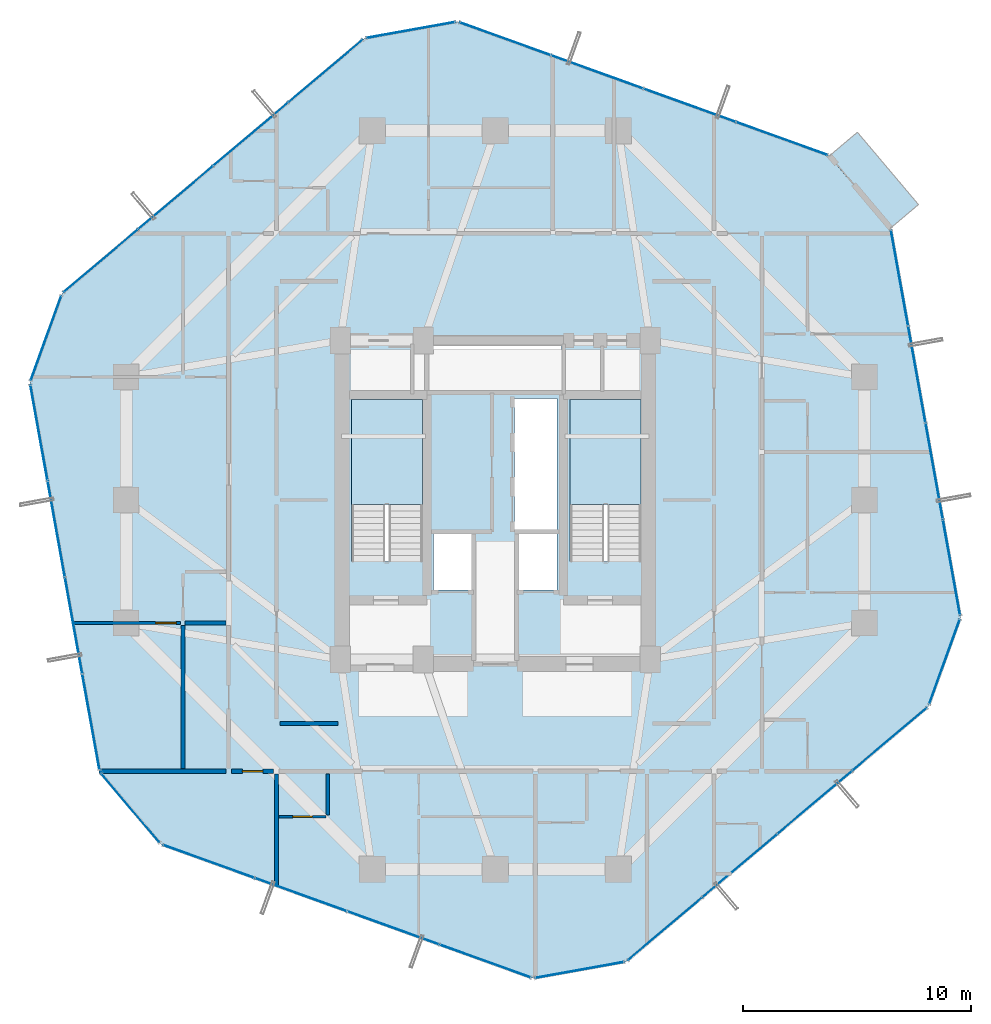
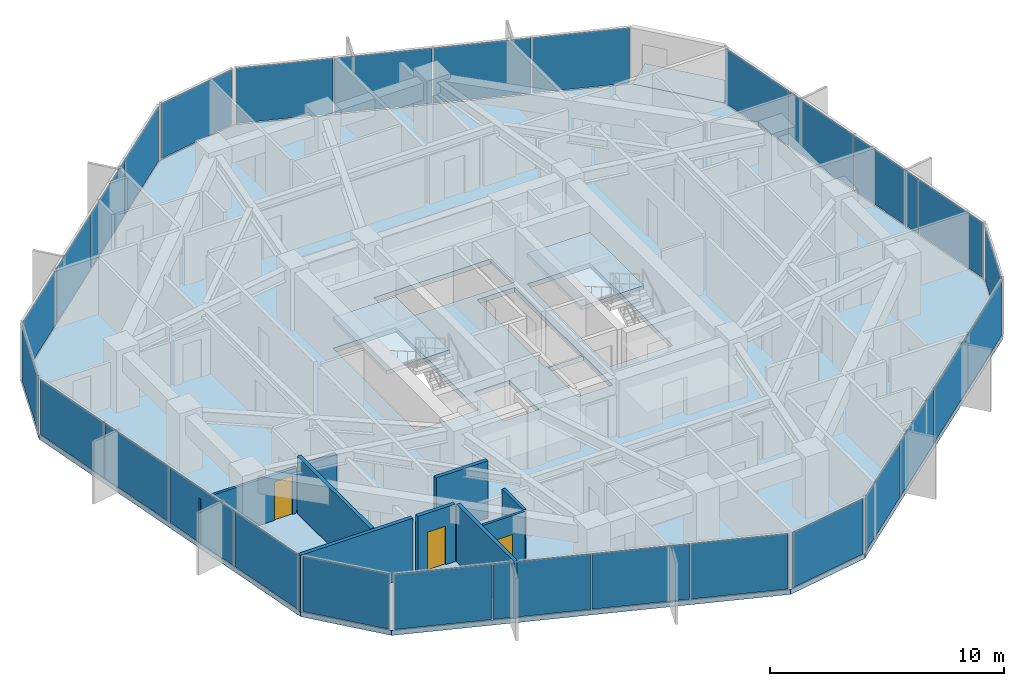
# One storey, part 30 of 36: 29 plates, 9 walls, 4 slabs, 3 doors, 3 openings, 13 elements without a shape of their own.
"""IFC4 building model written with IfcOpenShell, lengths in metres."""

from ifc_helpers import new_model, si_unit, direction, frame, frame_2d, origin, origin_2d, place, context, subcontext, project, spatial, polyline, rectangle, outline, extrude, source, transform, mapped, material, layer, layer_set, type_object, element, fill, aggregate, save


model = new_model("IFC4")

# Units and contexts
model_context = context("Model", 3, precision=1e-05, world=origin(), true_north=direction((0.0, 1.0)))
body_context = subcontext(model_context, "Body", "Model", "MODEL_VIEW")
ifc_project = project(units=[si_unit("LENGTHUNIT", "METRE"), si_unit("AREAUNIT", "SQUARE_METRE"), si_unit("VOLUMEUNIT", "CUBIC_METRE"), si_unit("PLANEANGLEUNIT", "RADIAN"), si_unit("MASSUNIT", "GRAM", prefix="KILO")], contexts=[model_context])

# Site, building, storey
site_placement = place(None, origin())
site = spatial("IfcSite", under=ifc_project, at=site_placement, CompositionType="ELEMENT")
building_placement = place(site_placement, origin())
building = spatial("IfcBuilding", under=site, at=building_placement, Name="Veraguas Prism Commons", CompositionType="ELEMENT")
storey_placement = place(building_placement, frame((0.0, 0.0, 163.050048828125)))
storey = spatial("IfcBuildingStorey", under=building, at=storey_placement, Name="L46", CompositionType="ELEMENT", Elevation=163.050048828125)

# Stair, slab
ifc_material_1 = material(Name="Precast concrete C45/55", Category="concrete")
stair_type = type_object("IfcStairType", Name="Dogleg Core Stair 1480W 20R 05", PredefinedType="HALF_TURN_STAIR", material=ifc_material_1)
stair_1_placement = place(storey_placement, origin())
stair_1 = element("IfcStair", 1, at=stair_1_placement, inside=storey, type_object=stair_type, Name="Protected Exit Stair ST-01 L46", PredefinedType="HALF_TURN_STAIR")
ifc_layer_1 = layer(ifc_material_1, 0.199951171875, Name="Precast Stair and Ramp Landing Slab 200", Category="concrete")
ifc_layer_set_1 = layer_set([ifc_layer_1], Name="Precast concrete C45/55")
slab_type_1 = type_object("IfcSlabType", Name="Precast Stair and Ramp Landing Slab 200", PredefinedType="LANDING", material=ifc_layer_set_1)
slab_1_placement = place(storey_placement, frame((0.0, 0.0, 1.425048828125)))
slab_1 = element("IfcSlab", 2, at=slab_1_placement, type_object=slab_type_1, Name="ST-05 Landing 1", PredefinedType="LANDING", context=body_context, shape_type="SweptSolid", body=[
    extrude(outline(polyline([(20.800048828125, 23.800048828125), (20.800048828125, 28.39990234375), (17.68994140625, 28.39990234375), (17.68994140625, 23.800048828125), (20.800048828125, 23.800048828125)])), origin(), (0.0, 0.0, 1.0), 0.199951171875),
])
aggregate(stair_1, [slab_1])

stair_2_placement = place(storey_placement, origin())
stair_2 = element("IfcStair", 3, at=stair_2_placement, inside=storey, type_object=stair_type, Name="Protected Exit Stair ST-02 L46", PredefinedType="HALF_TURN_STAIR")
slab_2_placement = place(storey_placement, frame((0.0, 0.0, 1.425048828125)))
slab_2 = element("IfcSlab", 4, at=slab_2_placement, type_object=slab_type_1, Name="ST-05 Landing 1", PredefinedType="LANDING", context=body_context, shape_type="SweptSolid", body=[
    extrude(outline(polyline([(30.39990234375, 23.800048828125), (30.39990234375, 28.39990234375), (27.2900390625, 28.39990234375), (27.2900390625, 23.800048828125), (30.39990234375, 23.800048828125)])), origin(), (0.0, 0.0, 1.0), 0.199951171875),
])
aggregate(stair_2, [slab_2])

# Slabs
ifc_material_2 = material(Name="Concrete C45/55", Category="concrete")
ifc_layer_2 = layer(ifc_material_2, 0.219970703125, Name="Recessed Loggia and Terrace Slab RC 220", Category="concrete")
ifc_layer_set_2 = layer_set([ifc_layer_2], Name="Concrete C45/55")
slab_type_2 = type_object("IfcSlabType", Name="Recessed Loggia and Terrace Slab RC 220", PredefinedType="FLOOR", material=ifc_layer_set_2)
slab_3_placement = place(storey_placement, frame((0.0, 0.0, -0.219970703125)))
element("IfcSlab", 5, at=slab_3_placement, inside=storey, type_object=slab_type_2, Name="Recessed Corner Loggia L46-C1", PredefinedType="FLOOR", context=body_context, shape_type="SweptSolid", body=[
    extrude(outline(polyline([(41.33154296875, 35.91796875), (42.5693359375, 36.963134765625), (39.8896484375, 40.13623046875), (38.652099609375, 39.091064453125), (41.33154296875, 35.91796875)])), origin(), (0.0, 0.0, 1.0), 0.219970703125),
])
ifc_layer_3 = layer(ifc_material_2, 0.25, Name="Tower Lower Residential Floor Slab RC 250", Category="concrete")
ifc_layer_set_3 = layer_set([ifc_layer_3], Name="Concrete C45/55")
slab_type_3 = type_object("IfcSlabType", Name="Tower Lower Residential Floor Slab RC 250", PredefinedType="FLOOR", material=ifc_layer_set_3)
slab_4_placement = place(storey_placement, frame((0.0, 0.0, -0.25)))
element("IfcSlab", 6, at=slab_4_placement, inside=storey, type_object=slab_type_3, Name="Tower Floor Slab L46", PredefinedType="FLOOR", context=body_context, shape_type="SweptSolid", body=[
    extrude(outline(polyline([(41.346923828125, 35.930908203125), (38.667236328125, 39.10400390625), (22.341064453125, 44.98828125), (18.253173828125, 44.25439453125), (4.994140625, 33.057373046875), (3.5859375, 29.150390625), (6.653076171875, 12.069091796875), (9.332763671875, 8.89599609375), (25.658935546875, 3.01171875), (29.746826171875, 3.74560546875), (43.005859375, 14.942626953125), (44.4140625, 18.849609375), (41.346923828125, 35.930908203125)]), holes=[polyline([(20.800048828125, 21.31005859375), (20.800048828125, 28.39990234375), (17.68994140625, 28.39990234375), (17.68994140625, 21.31005859375), (20.800048828125, 21.31005859375)]), polyline([(30.39990234375, 21.31005859375), (30.39990234375, 28.39990234375), (27.2900390625, 28.39990234375), (27.2900390625, 21.31005859375), (30.39990234375, 21.31005859375)]), polyline([(24.85009765625, 22.64990234375), (26.699951171875, 22.64990234375), (26.699951171875, 28.449951171875), (24.85009765625, 28.449951171875), (24.85009765625, 22.64990234375)]), polyline([(21.10009765625, 28.800048828125), (26.89990234375, 28.800048828125), (26.89990234375, 30.800048828125), (21.10009765625, 30.800048828125), (21.10009765625, 28.800048828125)]), polyline([(21.300048828125, 20.050048828125), (23.050048828125, 20.050048828125), (23.050048828125, 22.550048828125), (21.300048828125, 22.550048828125), (21.300048828125, 20.050048828125)]), polyline([(24.949951171875, 20.050048828125), (26.699951171875, 20.050048828125), (26.699951171875, 22.550048828125), (24.949951171875, 22.550048828125), (24.949951171875, 20.050048828125)])]), origin(), (0.0, 0.0, 1.0), 0.25),
])

# Curtain wall, plates
ifc_material_3 = material(Name="Anodised aluminium EN AW-6063 T6", Category="aluminium")
ifc_layer_4 = layer(ifc_material_3, 0.169921875, Name="Unitised Flush Curtain Wall Zone 2", Category="aluminium")
ifc_layer_set_4 = layer_set([ifc_layer_4], Name="Anodised aluminium EN AW-6063 T6")
curtain_wall_type = type_object("IfcCurtainWallType", Name="Unitised Flush Curtain Wall Zone 2", PredefinedType="NOTDEFINED", material=ifc_layer_set_4)
curtain_wall_1_placement = place(storey_placement, origin())
curtain_wall_1 = element("IfcCurtainWall", 7, at=curtain_wall_1_placement, inside=storey, type_object=curtain_wall_type, Name="Tower Facade Curtain Wall L46-F1", PredefinedType="NOTDEFINED")
ifc_material_4 = material(Name="Laminated low-e glass", Category="glass")
ifc_layer_5 = layer(ifc_material_4, 0.028076171875, Name="Unitised Double Low-E Glazed Panel 28", Category="glass")
ifc_layer_set_5 = layer_set([ifc_layer_5], Name="Laminated low-e glass")
plate_type = type_object("IfcPlateType", Name="Unitised Double Low-E Glazed Panel 28", PredefinedType="CURTAIN_PANEL", material=ifc_layer_set_5)
shared_shape_1 = source(origin(), body_context, "Body", "SweptSolid", [
    extrude(rectangle(XDim=4.218505859375, YDim=0.028076171875, at=origin_2d()), origin(), (0.0, 0.0, 1.0), 2.889892578125),
])
plate_1_placement = place(storey_placement, frame((36.570068359375, 39.85986328125, 0.05517578125), z_axis=(0.0, 0.0, 1.0), x_axis=(-0.940760694435, 0.339071254763, 0.0)))
plate_1 = element("IfcPlate", 8, at=plate_1_placement, type_object=plate_type, Name="CW-Z2 Panel 1.1", PredefinedType="CURTAIN_PANEL", context=body_context, shape_type="MappedRepresentation", body=[
    mapped(shared_shape_1, transform((0.0, 0.0, 0.0), scale=1.0)),
])
plate_2_placement = place(storey_placement, frame((24.438232421875, 44.232421875, 0.05517578125), z_axis=(0.0, 0.0, 1.0), x_axis=(-0.940760694435, 0.339071254763, 0.0)))
plate_2 = element("IfcPlate", 9, at=plate_2_placement, type_object=plate_type, Name="CW-Z2 Panel 4.1", PredefinedType="CURTAIN_PANEL", context=body_context, shape_type="MappedRepresentation", body=[
    mapped(shared_shape_1, transform((0.0, 0.0, 0.0), scale=1.0)),
])

curtain_wall_2_placement = place(storey_placement, origin())
curtain_wall_2 = element("IfcCurtainWall", 10, at=curtain_wall_2_placement, inside=storey, type_object=curtain_wall_type, Name="Tower Facade Curtain Wall L46-F2", PredefinedType="NOTDEFINED")
plate_3_placement = place(storey_placement, frame((16.550048828125, 42.81591796875, 0.05517578125), z_axis=(0.0, 0.0, 1.0), x_axis=(-0.764022415403, -0.645189699826, 0.0)))
plate_3 = element("IfcPlate", 11, at=plate_3_placement, type_object=plate_type, Name="CW-Z2 Panel 1.1", PredefinedType="CURTAIN_PANEL", context=body_context, shape_type="MappedRepresentation", body=[
    mapped(shared_shape_1, transform((0.0, 0.0, 0.0), scale=1.0)),
])
plate_4_placement = place(storey_placement, frame((6.697265625, 34.49560546875, 0.05517578125), z_axis=(0.0, 0.0, 1.0), x_axis=(-0.764022415403, -0.645189699826, 0.0)))
plate_4 = element("IfcPlate", 12, at=plate_4_placement, type_object=plate_type, Name="CW-Z2 Panel 4.1", PredefinedType="CURTAIN_PANEL", context=body_context, shape_type="MappedRepresentation", body=[
    mapped(shared_shape_1, transform((0.0, 0.0, 0.0), scale=1.0)),
])

curtain_wall_3_placement = place(storey_placement, origin())
curtain_wall_3 = element("IfcCurtainWall", 13, at=curtain_wall_3_placement, inside=storey, type_object=curtain_wall_type, Name="Tower Facade Curtain Wall L46-F3", PredefinedType="NOTDEFINED")
plate_5_placement = place(storey_placement, frame((3.97998046875, 26.9560546875, 0.05517578125), z_axis=(0.0, 0.0, 1.0), x_axis=(0.176741180461, -0.984257362243, 0.0)))
plate_5 = element("IfcPlate", 14, at=plate_5_placement, type_object=plate_type, Name="CW-Z2 Panel 1.1", PredefinedType="CURTAIN_PANEL", context=body_context, shape_type="MappedRepresentation", body=[
    mapped(shared_shape_1, transform((0.0, 0.0, 0.0), scale=1.0)),
])
plate_6_placement = place(storey_placement, frame((6.259033203125, 14.263427734375, 0.05517578125), z_axis=(0.0, 0.0, 1.0), x_axis=(0.176741180461, -0.984257362243, 0.0)))
plate_6 = element("IfcPlate", 15, at=plate_6_placement, type_object=plate_type, Name="CW-Z2 Panel 4.1", PredefinedType="CURTAIN_PANEL", context=body_context, shape_type="MappedRepresentation", body=[
    mapped(shared_shape_1, transform((0.0, 0.0, 0.0), scale=1.0)),
])

curtain_wall_4_placement = place(storey_placement, origin())
curtain_wall_4 = element("IfcCurtainWall", 16, at=curtain_wall_4_placement, inside=storey, type_object=curtain_wall_type, Name="Tower Facade Curtain Wall L46-F4", PredefinedType="NOTDEFINED")
plate_7_placement = place(storey_placement, frame((11.429931640625, 8.14013671875, 0.05517578125), z_axis=(0.0, 0.0, 1.0), x_axis=(0.940760694435, -0.339071254763, 0.0)))
plate_7 = element("IfcPlate", 17, at=plate_7_placement, type_object=plate_type, Name="CW-Z2 Panel 1.1", PredefinedType="CURTAIN_PANEL", context=body_context, shape_type="MappedRepresentation", body=[
    mapped(shared_shape_1, transform((0.0, 0.0, 0.0), scale=1.0)),
])
plate_8_placement = place(storey_placement, frame((23.561767578125, 3.767578125, 0.05517578125), z_axis=(0.0, 0.0, 1.0), x_axis=(0.940760694435, -0.339071254763, 0.0)))
plate_8 = element("IfcPlate", 18, at=plate_8_placement, type_object=plate_type, Name="CW-Z2 Panel 4.1", PredefinedType="CURTAIN_PANEL", context=body_context, shape_type="MappedRepresentation", body=[
    mapped(shared_shape_1, transform((0.0, 0.0, 0.0), scale=1.0)),
])

curtain_wall_5_placement = place(storey_placement, origin())
curtain_wall_5 = element("IfcCurtainWall", 19, at=curtain_wall_5_placement, inside=storey, type_object=curtain_wall_type, Name="Tower Facade Curtain Wall L46-F5", PredefinedType="NOTDEFINED")
plate_9_placement = place(storey_placement, frame((31.449951171875, 5.18408203125, 0.05517578125), z_axis=(0.0, 0.0, 1.0), x_axis=(0.764022415403, 0.645189699826, 0.0)))
plate_9 = element("IfcPlate", 20, at=plate_9_placement, type_object=plate_type, Name="CW-Z2 Panel 1.1", PredefinedType="CURTAIN_PANEL", context=body_context, shape_type="MappedRepresentation", body=[
    mapped(shared_shape_1, transform((0.0, 0.0, 0.0), scale=1.0)),
])
plate_10_placement = place(storey_placement, frame((41.302734375, 13.50439453125, 0.05517578125), z_axis=(0.0, 0.0, 1.0), x_axis=(0.764022415403, 0.645189699826, 0.0)))
plate_10 = element("IfcPlate", 21, at=plate_10_placement, type_object=plate_type, Name="CW-Z2 Panel 4.1", PredefinedType="CURTAIN_PANEL", context=body_context, shape_type="MappedRepresentation", body=[
    mapped(shared_shape_1, transform((0.0, 0.0, 0.0), scale=1.0)),
])

curtain_wall_6_placement = place(storey_placement, origin())
curtain_wall_6 = element("IfcCurtainWall", 22, at=curtain_wall_6_placement, inside=storey, type_object=curtain_wall_type, Name="Tower Facade Curtain Wall L46-F6", PredefinedType="NOTDEFINED")
plate_11_placement = place(storey_placement, frame((44.02001953125, 21.0439453125, 0.05517578125), z_axis=(0.0, 0.0, 1.0), x_axis=(-0.176741180461, 0.984257362243, 0.0)))
plate_11 = element("IfcPlate", 23, at=plate_11_placement, type_object=plate_type, Name="CW-Z2 Panel 1.1", PredefinedType="CURTAIN_PANEL", context=body_context, shape_type="MappedRepresentation", body=[
    mapped(shared_shape_1, transform((0.0, 0.0, 0.0), scale=1.0)),
])
plate_12_placement = place(storey_placement, frame((41.740966796875, 33.736572265625, 0.05517578125), z_axis=(0.0, 0.0, 1.0), x_axis=(-0.176741180461, 0.984257362243, 0.0)))
plate_12 = element("IfcPlate", 24, at=plate_12_placement, type_object=plate_type, Name="CW-Z2 Panel 4.1", PredefinedType="CURTAIN_PANEL", context=body_context, shape_type="MappedRepresentation", body=[
    mapped(shared_shape_1, transform((0.0, 0.0, 0.0), scale=1.0)),
])

# Plate
shared_shape_2 = source(origin(), body_context, "Body", "SweptSolid", [
    extrude(rectangle(XDim=4.24853515625, YDim=0.028076171875, at=origin_2d()), origin(), (0.0, 0.0, 1.0), 2.889892578125),
])
plate_13_placement = place(storey_placement, frame((32.53076171875, 41.315673828125, 0.05517578125), z_axis=(0.0, 0.0, 1.0), x_axis=(-0.940760694435, 0.339071254763, 0.0)))
plate_13 = element("IfcPlate", 25, at=plate_13_placement, type_object=plate_type, Name="CW-Z2 Panel 2.1", PredefinedType="CURTAIN_PANEL", context=body_context, shape_type="MappedRepresentation", body=[
    mapped(shared_shape_2, transform((0.0, 0.0, 0.0), scale=1.0)),
])

plate_14_placement = place(storey_placement, frame((28.4775390625, 42.776611328125, 0.05517578125), z_axis=(0.0, 0.0, 1.0), x_axis=(-0.940760694435, 0.339071254763, 0.0)))
plate_14 = element("IfcPlate", 26, at=plate_14_placement, type_object=plate_type, Name="CW-Z2 Panel 3.1", PredefinedType="CURTAIN_PANEL", context=body_context, shape_type="MappedRepresentation", body=[
    mapped(shared_shape_2, transform((0.0, 0.0, 0.0), scale=1.0)),
])

aggregate(curtain_wall_1, [plate_1, plate_13, plate_14, plate_2])

plate_15_placement = place(storey_placement, frame((13.26953125, 40.0458984375, 0.05517578125), z_axis=(0.0, 0.0, 1.0), x_axis=(-0.764022415403, -0.645189699826, 0.0)))
plate_15 = element("IfcPlate", 27, at=plate_15_placement, type_object=plate_type, Name="CW-Z2 Panel 2.1", PredefinedType="CURTAIN_PANEL", context=body_context, shape_type="MappedRepresentation", body=[
    mapped(shared_shape_2, transform((0.0, 0.0, 0.0), scale=1.0)),
])

plate_16_placement = place(storey_placement, frame((9.977783203125, 37.265869140625, 0.05517578125), z_axis=(0.0, 0.0, 1.0), x_axis=(-0.764022415403, -0.645189699826, 0.0)))
plate_16 = element("IfcPlate", 28, at=plate_16_placement, type_object=plate_type, Name="CW-Z2 Panel 3.1", PredefinedType="CURTAIN_PANEL", context=body_context, shape_type="MappedRepresentation", body=[
    mapped(shared_shape_2, transform((0.0, 0.0, 0.0), scale=1.0)),
])

aggregate(curtain_wall_2, [plate_3, plate_15, plate_16, plate_4])

plate_17_placement = place(storey_placement, frame((4.73876953125, 22.72998046875, 0.05517578125), z_axis=(0.0, 0.0, 1.0), x_axis=(0.176741180461, -0.984257362243, 0.0)))
plate_17 = element("IfcPlate", 29, at=plate_17_placement, type_object=plate_type, Name="CW-Z2 Panel 2.1", PredefinedType="CURTAIN_PANEL", context=body_context, shape_type="MappedRepresentation", body=[
    mapped(shared_shape_2, transform((0.0, 0.0, 0.0), scale=1.0)),
])

plate_18_placement = place(storey_placement, frame((5.500244140625, 18.4892578125, 0.05517578125), z_axis=(0.0, 0.0, 1.0), x_axis=(0.176741180461, -0.984257362243, 0.0)))
plate_18 = element("IfcPlate", 30, at=plate_18_placement, type_object=plate_type, Name="CW-Z2 Panel 3.1", PredefinedType="CURTAIN_PANEL", context=body_context, shape_type="MappedRepresentation", body=[
    mapped(shared_shape_2, transform((0.0, 0.0, 0.0), scale=1.0)),
])

aggregate(curtain_wall_3, [plate_5, plate_17, plate_18, plate_6])

plate_19_placement = place(storey_placement, frame((15.46923828125, 6.684326171875, 0.05517578125), z_axis=(0.0, 0.0, 1.0), x_axis=(0.940760694435, -0.339071254763, 0.0)))
plate_19 = element("IfcPlate", 31, at=plate_19_placement, type_object=plate_type, Name="CW-Z2 Panel 2.1", PredefinedType="CURTAIN_PANEL", context=body_context, shape_type="MappedRepresentation", body=[
    mapped(shared_shape_2, transform((0.0, 0.0, 0.0), scale=1.0)),
])

plate_20_placement = place(storey_placement, frame((19.5224609375, 5.223388671875, 0.05517578125), z_axis=(0.0, 0.0, 1.0), x_axis=(0.940760694435, -0.339071254763, 0.0)))
plate_20 = element("IfcPlate", 32, at=plate_20_placement, type_object=plate_type, Name="CW-Z2 Panel 3.1", PredefinedType="CURTAIN_PANEL", context=body_context, shape_type="MappedRepresentation", body=[
    mapped(shared_shape_2, transform((0.0, 0.0, 0.0), scale=1.0)),
])

aggregate(curtain_wall_4, [plate_7, plate_19, plate_20, plate_8])

plate_21_placement = place(storey_placement, frame((34.73046875, 7.9541015625, 0.05517578125), z_axis=(0.0, 0.0, 1.0), x_axis=(0.764022415403, 0.645189699826, 0.0)))
plate_21 = element("IfcPlate", 33, at=plate_21_placement, type_object=plate_type, Name="CW-Z2 Panel 2.1", PredefinedType="CURTAIN_PANEL", context=body_context, shape_type="MappedRepresentation", body=[
    mapped(shared_shape_2, transform((0.0, 0.0, 0.0), scale=1.0)),
])

plate_22_placement = place(storey_placement, frame((38.022216796875, 10.734130859375, 0.05517578125), z_axis=(0.0, 0.0, 1.0), x_axis=(0.764022415403, 0.645189699826, 0.0)))
plate_22 = element("IfcPlate", 34, at=plate_22_placement, type_object=plate_type, Name="CW-Z2 Panel 3.1", PredefinedType="CURTAIN_PANEL", context=body_context, shape_type="MappedRepresentation", body=[
    mapped(shared_shape_2, transform((0.0, 0.0, 0.0), scale=1.0)),
])

aggregate(curtain_wall_5, [plate_9, plate_21, plate_22, plate_10])

plate_23_placement = place(storey_placement, frame((43.26123046875, 25.27001953125, 0.05517578125), z_axis=(0.0, 0.0, 1.0), x_axis=(-0.176741180461, 0.984257362243, 0.0)))
plate_23 = element("IfcPlate", 35, at=plate_23_placement, type_object=plate_type, Name="CW-Z2 Panel 2.1", PredefinedType="CURTAIN_PANEL", context=body_context, shape_type="MappedRepresentation", body=[
    mapped(shared_shape_2, transform((0.0, 0.0, 0.0), scale=1.0)),
])

plate_24_placement = place(storey_placement, frame((42.499755859375, 29.5107421875, 0.05517578125), z_axis=(0.0, 0.0, 1.0), x_axis=(-0.176741180461, 0.984257362243, 0.0)))
plate_24 = element("IfcPlate", 36, at=plate_24_placement, type_object=plate_type, Name="CW-Z2 Panel 3.1", PredefinedType="CURTAIN_PANEL", context=body_context, shape_type="MappedRepresentation", body=[
    mapped(shared_shape_2, transform((0.0, 0.0, 0.0), scale=1.0)),
])

aggregate(curtain_wall_6, [plate_11, plate_23, plate_24, plate_12])

# Curtain wall, plate
curtain_wall_7_placement = place(storey_placement, origin())
curtain_wall_7 = element("IfcCurtainWall", 37, at=curtain_wall_7_placement, inside=storey, type_object=curtain_wall_type, Name="Chamfer Curtain Wall L46-C2", PredefinedType="NOTDEFINED")
shared_shape_3 = source(origin(), body_context, "Body", "SweptSolid", [
    extrude(rectangle(XDim=3.9130859375, YDim=0.028076171875, at=origin_2d()), origin(), (0.0, 0.0, 1.0), 2.889892578125),
])
plate_25_placement = place(storey_placement, frame((20.297119140625, 44.621337890625, 0.05517578125), z_axis=(0.0, 0.0, 1.0), x_axis=(-0.98425797918, -0.176737744754, 0.0)))
plate_25 = element("IfcPlate", 38, at=plate_25_placement, type_object=plate_type, Name="CW-Z2 Panel 1.1", PredefinedType="CURTAIN_PANEL", context=body_context, shape_type="MappedRepresentation", body=[
    mapped(shared_shape_3, transform((0.0, 0.0, 0.0), scale=1.0)),
])
aggregate(curtain_wall_7, [plate_25])

curtain_wall_8_placement = place(storey_placement, origin())
curtain_wall_8 = element("IfcCurtainWall", 39, at=curtain_wall_8_placement, inside=storey, type_object=curtain_wall_type, Name="Chamfer Curtain Wall L46-C5", PredefinedType="NOTDEFINED")
plate_26_placement = place(storey_placement, frame((27.702880859375, 3.378662109375, 0.05517578125), z_axis=(0.0, 0.0, 1.0), x_axis=(0.98425797918, 0.176737744754, 0.0)))
plate_26 = element("IfcPlate", 40, at=plate_26_placement, type_object=plate_type, Name="CW-Z2 Panel 1.1", PredefinedType="CURTAIN_PANEL", context=body_context, shape_type="MappedRepresentation", body=[
    mapped(shared_shape_3, transform((0.0, 0.0, 0.0), scale=1.0)),
])
aggregate(curtain_wall_8, [plate_26])

curtain_wall_9_placement = place(storey_placement, origin())
curtain_wall_9 = element("IfcCurtainWall", 41, at=curtain_wall_9_placement, inside=storey, type_object=curtain_wall_type, Name="Chamfer Curtain Wall L46-C3", PredefinedType="NOTDEFINED")
shared_shape_4 = source(origin(), body_context, "Body", "SweptSolid", [
    extrude(rectangle(XDim=3.913330078125, YDim=0.028076171875, at=origin_2d()), origin(), (0.0, 0.0, 1.0), 2.889892578125),
])
plate_27_placement = place(storey_placement, frame((4.2900390625, 31.103759765625, 0.05517578125), z_axis=(0.0, 0.0, 1.0), x_axis=(-0.339082748298, -0.940756551828, 0.0)))
plate_27 = element("IfcPlate", 42, at=plate_27_placement, type_object=plate_type, Name="CW-Z2 Panel 1.1", PredefinedType="CURTAIN_PANEL", context=body_context, shape_type="MappedRepresentation", body=[
    mapped(shared_shape_4, transform((0.0, 0.0, 0.0), scale=1.0)),
])
aggregate(curtain_wall_9, [plate_27])

curtain_wall_10_placement = place(storey_placement, origin())
curtain_wall_10 = element("IfcCurtainWall", 43, at=curtain_wall_10_placement, inside=storey, type_object=curtain_wall_type, Name="Chamfer Curtain Wall L46-C4", PredefinedType="NOTDEFINED")
plate_28_placement = place(storey_placement, frame((7.992919921875, 10.482666015625, 0.05517578125), z_axis=(0.0, 0.0, 1.0), x_axis=(0.645187032881, -0.764024667535, 0.0)))
plate_28 = element("IfcPlate", 44, at=plate_28_placement, type_object=plate_type, Name="CW-Z2 Panel 1.1", PredefinedType="CURTAIN_PANEL", context=body_context, shape_type="MappedRepresentation", body=[
    mapped(shared_shape_4, transform((0.0, 0.0, 0.0), scale=1.0)),
])
aggregate(curtain_wall_10, [plate_28])

curtain_wall_11_placement = place(storey_placement, origin())
curtain_wall_11 = element("IfcCurtainWall", 45, at=curtain_wall_11_placement, inside=storey, type_object=curtain_wall_type, Name="Chamfer Curtain Wall L46-C6", PredefinedType="NOTDEFINED")
plate_29_placement = place(storey_placement, frame((43.7099609375, 16.896240234375, 0.05517578125), z_axis=(0.0, 0.0, 1.0), x_axis=(0.339082748298, 0.940756551828, 0.0)))
plate_29 = element("IfcPlate", 46, at=plate_29_placement, type_object=plate_type, Name="CW-Z2 Panel 1.1", PredefinedType="CURTAIN_PANEL", context=body_context, shape_type="MappedRepresentation", body=[
    mapped(shared_shape_4, transform((0.0, 0.0, 0.0), scale=1.0)),
])
aggregate(curtain_wall_11, [plate_29])

# Walls
ifc_material_5 = material(Name="Autoclaved aerated masonry block 10 MPa", Category="masonry")
ifc_layer_6 = layer(ifc_material_5, 0.179931640625, Name="Corridor and Inter-Tenancy Partition 180", Category="masonry")
ifc_layer_set_6 = layer_set([ifc_layer_6], Name="Autoclaved aerated masonry block 10 MPa")
wall_type_1 = type_object("IfcWallType", Name="Corridor and Inter-Tenancy Partition 180", PredefinedType="PARTITIONING", material=ifc_layer_set_6)
wall_1_placement = place(storey_placement, frame((14.550048828125, 14.199951171875, 0.0), z_axis=(0.0, 0.0, 1.0), x_axis=(1.0, 0.0, 0.0)))
element("IfcWall", 47, at=wall_1_placement, inside=storey, type_object=wall_type_1, Name="WL-L46-IRWS", PredefinedType="PARTITIONING", context=body_context, shape_type="SweptSolid", body=[
    extrude(rectangle(XDim=2.550048828125, YDim=0.179931640625, at=frame_2d((1.27490234375, 0.0))), origin(), (0.0, 0.0, 1.0), 3.0),
])
wall_2_placement = place(storey_placement, frame((14.39990234375, 11.97998046875, 0.0), z_axis=(0.0, 0.0, 1.0), x_axis=(0.0, -1.0, 0.0)))
element("IfcWall", 48, at=wall_2_placement, inside=storey, type_object=wall_type_1, Name="WL-L46-PT001", PredefinedType="PARTITIONING", context=body_context, shape_type="SweptSolid", body=[
    extrude(rectangle(XDim=4.942138671875, YDim=0.179931640625, at=frame_2d((2.47119140625, 0.0))), origin(), (0.0, 0.0, 1.0), 3.0),
])
wall_3_placement = place(storey_placement, frame((12.179931640625, 12.10009765625, 0.0), z_axis=(0.0, 0.0, 1.0), x_axis=(-1.0, 0.0, 0.0)))
element("IfcWall", 49, at=wall_3_placement, inside=storey, type_object=wall_type_1, Name="WL-L46-PT027", PredefinedType="PARTITIONING", context=body_context, shape_type="SweptSolid", body=[
    extrude(rectangle(XDim=5.562744140625, YDim=0.179931640625, at=frame_2d((2.78125, 0.0))), origin(), (0.0, 0.0, 1.0), 3.0),
])
wall_4_placement = place(storey_placement, frame((10.300048828125, 12.219970703125, 0.0), z_axis=(0.0, 0.0, 1.0), x_axis=(0.0, 1.0, 0.0)))
element("IfcWall", 50, at=wall_4_placement, inside=storey, type_object=wall_type_1, Name="WL-L46-PT031", PredefinedType="PARTITIONING", context=body_context, shape_type="SweptSolid", body=[
    extrude(rectangle(XDim=6.280029296875, YDim=0.179931640625, at=frame_2d((3.14013671875, 0.0))), origin(), (0.0, 0.0, 1.0), 3.0),
])
wall_5_placement = place(storey_placement, frame((12.179931640625, 18.60009765625, 0.0), z_axis=(0.0, 0.0, 1.0), x_axis=(-1.0, 0.0, 0.0)))
element("IfcWall", 51, at=wall_5_placement, inside=storey, type_object=wall_type_1, Name="WL-L46-PT032", PredefinedType="PARTITIONING", context=body_context, shape_type="SweptSolid", body=[
    extrude(rectangle(XDim=1.800048828125, YDim=0.179931640625, at=frame_2d((0.89990234375, 0.0))), origin(), (0.0, 0.0, 1.0), 2.3779296875),
])

# Wall, opening, door
wall_6_placement = place(storey_placement, frame((12.419921875, 12.10009765625, 0.0), z_axis=(0.0, 0.0, 1.0), x_axis=(1.0, 0.0, 0.0)))
wall_6 = element("IfcWall", 52, at=wall_6_placement, inside=storey, type_object=wall_type_1, Name="WL-L46-PT054", PredefinedType="PARTITIONING", context=body_context, shape_type="SweptSolid", body=[
    extrude(rectangle(XDim=1.860107421875, YDim=0.179931640625, at=frame_2d((0.93017578125, 0.0))), origin(), (0.0, 0.0, 1.0), 3.0),
])
opening_1_placement = place(wall_6_placement, frame((0.47998046875, 0.0, 0.0)))
opening_1 = element("IfcOpeningElement", 53, at=opening_1_placement, cuts=wall_6, Name="Opening DR-14", PredefinedType="OPENING", context=body_context, shape_type="SweptSolid", body=[
    extrude(rectangle(XDim=0.89990234375, YDim=2.010009765625, at=frame_2d((0.449951171875, 1.0048828125))), frame((0.0, 0.099853515625, 0.0), z_axis=(0.0, -1.0, 0.0), x_axis=(1.0, 0.0, 0.0)), (0.0, 0.0, 1.0), 0.199951171875),
])
ifc_material_6 = material(Name="Steel fire-rated door assembly", Category="steel")
door_type_1 = type_object("IfcDoorType", Name="Core Service Room Fire Door 900x2010", OperationType="NOTDEFINED", PredefinedType="DOOR", material=ifc_material_6)
shared_shape_5 = source(origin(), body_context, "Body", "SweptSolid", [
    extrude(rectangle(XDim=0.89990234375, YDim=2.010009765625, at=frame_2d((0.449951171875, 1.0048828125))), frame((0.0, 0.02490234375, 0.0), z_axis=(0.0, -1.0, 0.0), x_axis=(1.0, 0.0, 0.0)), (0.0, 0.0, 1.0), 0.050048828125),
])
door_1_placement = place(opening_1_placement, origin())
door_1 = element("IfcDoor", 54, at=door_1_placement, inside=storey, type_object=door_type_1, Name="Corner Study SW Door", OperationType="SINGLE_SWING_RIGHT", OverallHeight=2.010009765625, OverallWidth=0.89990234375, PredefinedType="DOOR", context=body_context, shape_type="MappedRepresentation", body=[
    mapped(shared_shape_5, transform((0.0, 0.0, 0.0), scale=1.0)),
])
fill(opening_1, door_1)

ifc_material_7 = material(Name="Lightweight acoustic gypsum board")
ifc_layer_7 = layer(ifc_material_7, 0.125, Name="Internal Apartment Room Partition 125")
ifc_layer_set_7 = layer_set([ifc_layer_7], Name="Lightweight acoustic gypsum board")
wall_type_2 = type_object("IfcWallType", Name="Internal Apartment Room Partition 125", PredefinedType="PARTITIONING", material=ifc_layer_set_7)
wall_7_placement = place(storey_placement, frame((14.52001953125, 10.10009765625, 0.0), z_axis=(0.0, 0.0, 1.0), x_axis=(1.0, 0.0, 0.0)))
wall_7 = element("IfcWall", 55, at=wall_7_placement, inside=storey, type_object=wall_type_2, Name="WL-L46-PT005", PredefinedType="PARTITIONING", context=body_context, shape_type="SweptSolid", body=[
    extrude(rectangle(XDim=2.050048828125, YDim=0.125, at=frame_2d((1.02490234375, 0.0))), origin(), (0.0, 0.0, 1.0), 3.0),
])
opening_2_placement = place(wall_7_placement, frame((0.594970703125, 0.0, 0.0)))
opening_2 = element("IfcOpeningElement", 56, at=opening_2_placement, cuts=wall_7, Name="Opening DR-03", PredefinedType="OPENING", context=body_context, shape_type="SweptSolid", body=[
    extrude(rectangle(XDim=0.860107421875, YDim=2.010009765625, at=frame_2d((0.43017578125, 1.0048828125))), frame((0.0, 0.072509765625, 0.0), z_axis=(0.0, -1.0, 0.0), x_axis=(1.0, 0.0, 0.0)), (0.0, 0.0, 1.0), 0.14501953125),
])
ifc_material_8 = material(Name="Timber moisture-resistant leaf", Category="wood")
door_type_2 = type_object("IfcDoorType", Name="Internal Bathroom Door 860x2010", OperationType="NOTDEFINED", PredefinedType="DOOR", material=ifc_material_8)
shared_shape_6 = source(origin(), body_context, "Body", "SweptSolid", [
    extrude(rectangle(XDim=0.860107421875, YDim=2.010009765625, at=frame_2d((0.43017578125, 1.0048828125))), frame((0.0, 0.02490234375, 0.0), z_axis=(0.0, -1.0, 0.0), x_axis=(1.0, 0.0, 0.0)), (0.0, 0.0, 1.0), 0.050048828125),
])
door_2_placement = place(opening_2_placement, origin())
door_2 = element("IfcDoor", 57, at=door_2_placement, inside=storey, type_object=door_type_2, Name="Flat 46A Bathroom Door", OperationType="SINGLE_SWING_RIGHT", OverallHeight=2.010009765625, OverallWidth=0.860107421875, PredefinedType="DOOR", context=body_context, shape_type="MappedRepresentation", body=[
    mapped(shared_shape_6, transform((0.0, 0.0, 0.0), scale=1.0)),
])
fill(opening_2, door_2)

wall_8_placement = place(storey_placement, frame((10.199951171875, 18.60009765625, 0.0), z_axis=(0.0, 0.0, 1.0), x_axis=(-1.0, 0.0, 0.0)))
wall_8 = element("IfcWall", 58, at=wall_8_placement, inside=storey, type_object=wall_type_2, Name="WL-L46-PT033", PredefinedType="PARTITIONING", context=body_context, shape_type="SweptSolid", body=[
    extrude(rectangle(XDim=4.75, YDim=0.125, at=frame_2d((2.375, 0.0))), origin(), (0.0, 0.0, 1.0), 2.3779296875),
])
opening_3_placement = place(wall_8_placement, frame((0.199951171875, 0.0, 0.0)))
opening_3 = element("IfcOpeningElement", 59, at=opening_3_placement, cuts=wall_8, Name="Opening DR-02", PredefinedType="OPENING", context=body_context, shape_type="SweptSolid", body=[
    extrude(rectangle(XDim=0.89990234375, YDim=2.010009765625, at=frame_2d((0.449951171875, 1.0048828125))), frame((0.0, 0.072509765625, 0.0), z_axis=(0.0, -1.0, 0.0), x_axis=(1.0, 0.0, 0.0)), (0.0, 0.0, 1.0), 0.14501953125),
])
ifc_material_9 = material(Name="Timber solid core hardwood", Category="wood")
door_type_3 = type_object("IfcDoorType", Name="Internal Habitable Room Door 900x2010", OperationType="NOTDEFINED", PredefinedType="DOOR", material=ifc_material_9)
door_3_placement = place(opening_3_placement, origin())
door_3 = element("IfcDoor", 60, at=door_3_placement, inside=storey, type_object=door_type_3, Name="Flat 46D Bedroom 2 Door", OperationType="SINGLE_SWING_RIGHT", OverallHeight=2.010009765625, OverallWidth=0.89990234375, PredefinedType="DOOR", context=body_context, shape_type="MappedRepresentation", body=[
    mapped(shared_shape_5, transform((0.0, 0.0, 0.0), scale=1.0)),
])
fill(opening_3, door_3)

# Wall
ifc_layer_8 = layer(ifc_material_7, 0.14990234375, Name="Wet Room and Clinic Acoustic Partition 150")
ifc_layer_set_8 = layer_set([ifc_layer_8], Name="Lightweight acoustic gypsum board")
wall_type_3 = type_object("IfcWallType", Name="Wet Room and Clinic Acoustic Partition 150", PredefinedType="PARTITIONING", material=ifc_layer_set_8)
wall_9_placement = place(storey_placement, frame((16.64990234375, 11.97998046875, 0.0), z_axis=(0.0, 0.0, 1.0), x_axis=(0.0, -1.0, 0.0)))
element("IfcWall", 61, at=wall_9_placement, inside=storey, type_object=wall_type_3, Name="WL-L46-PT004", PredefinedType="PARTITIONING", context=body_context, shape_type="SweptSolid", body=[
    extrude(rectangle(XDim=1.800048828125, YDim=0.14990234375, at=frame_2d((0.89990234375, 0.0))), origin(), (0.0, 0.0, 1.0), 3.0),
])

save(model, "model.ifc")
